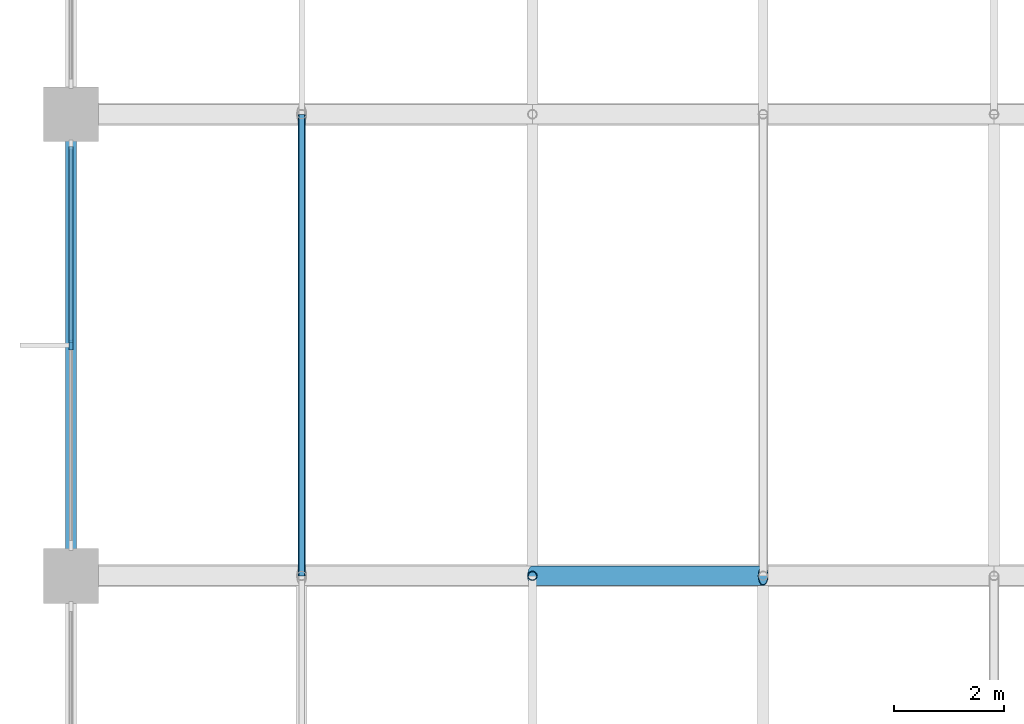
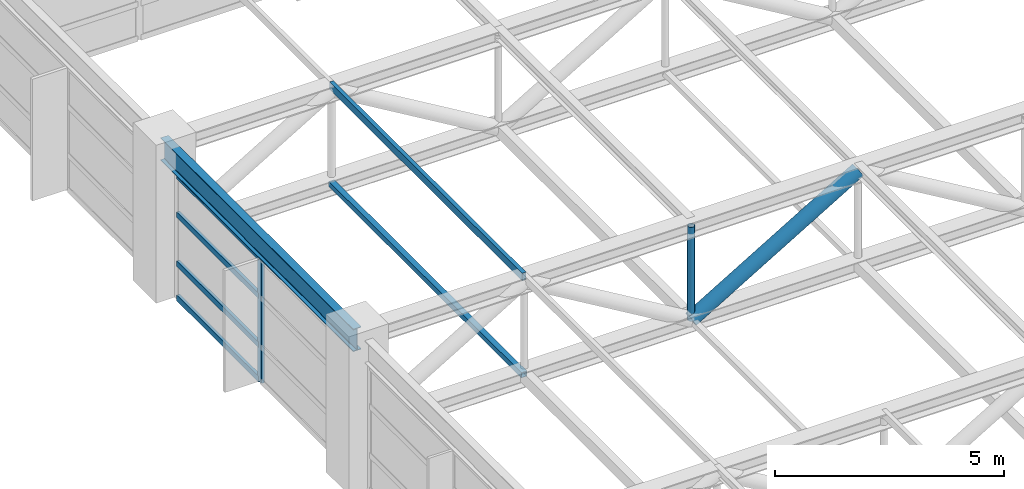
# One storey, part 10 of 32: 9 members, 1 beam, 1 element without a shape of its own.
"""IFC4 building model written with IfcOpenShell, lengths in metres."""

from ifc_helpers import new_model, si_unit, direction, frame, origin, origin_2d, place, context, subcontext, project, spatial, rectangle, hollow_rectangle, hollow_circle, i_section, extrude, material, material_profile, profile_set, type_object, element, aggregate, save


model = new_model("IFC4")

# Units and contexts
model_context = context("Model", 3, precision=1e-05, world=origin(), true_north=direction((0.0, 1.0)))
body_context = subcontext(model_context, "Body", "Model", "MODEL_VIEW")
ifc_project = project(units=[si_unit("LENGTHUNIT", "METRE"), si_unit("AREAUNIT", "SQUARE_METRE"), si_unit("VOLUMEUNIT", "CUBIC_METRE"), si_unit("PLANEANGLEUNIT", "RADIAN"), si_unit("MASSUNIT", "GRAM", prefix="KILO")], contexts=[model_context])

# Site, building, storey
site_placement = place(None, origin())
site = spatial("IfcSite", under=ifc_project, at=site_placement, CompositionType="ELEMENT")
building_placement = place(site_placement, origin())
building = spatial("IfcBuilding", under=site, at=building_placement, Name="Xuanlan Plaza Opera House", CompositionType="ELEMENT")
storey_placement = place(building_placement, frame((0.0, 0.0, 40.5)))
storey = spatial("IfcBuildingStorey", under=building, at=storey_placement, Name="L09", CompositionType="ELEMENT", Elevation=40.5)

# Curtain wall, members
ifc_material_1 = material(Name="Anodised Aluminium 6063-T6 and Low-E Glass", Category="aluminium")
curtain_wall_type = type_object("IfcCurtainWallType", Name="ENV-CW-CW-05", PredefinedType="USERDEFINED", material=ifc_material_1)
curtain_wall_placement = place(storey_placement, origin())
curtain_wall = element("IfcCurtainWall", 1, at=curtain_wall_placement, inside=storey, type_object=curtain_wall_type, Name="Acoustic Glazed Wall FLY-L09-12", ObjectType="ACOUSTIC GLAZED WALL", PredefinedType="USERDEFINED")
ifc_material_2 = material(Name="Anodised Aluminium 6063-T6", Category="aluminium")
ifc_material_profile_1 = material_profile(ifc_material_2, rectangle(XDim=0.070068359375, YDim=0.179931640625, at=origin_2d()), Name="ALU-M 70x180")
ifc_profile_set_1 = profile_set([ifc_material_profile_1], Name="Anodised Aluminium 6063-T6")
member_type_1 = type_object("IfcMemberType", Name="ENV-CWM-02", PredefinedType="MULLION", material=ifc_profile_set_1)
member_1_placement = place(storey_placement, frame((42.0, 63.0, 0.0), z_axis=(0.0, 0.0, 1.0), x_axis=(1.0, 0.0, 0.0)))
member_1 = element("IfcMember", 2, at=member_1_placement, type_object=member_type_1, Name="CW-05 mullion 2", PredefinedType="MULLION", context=body_context, shape_type="SweptSolid", body=[
    extrude(rectangle(XDim=0.070068359375, YDim=0.179931640625, at=origin_2d()), origin(), (0.0, 0.0, 1.0), 3.320068359375),
])
ifc_material_profile_2 = material_profile(ifc_material_2, rectangle(XDim=0.074951171875, YDim=0.14990234375, at=origin_2d()), Name="ALU-T 75x150")
ifc_profile_set_2 = profile_set([ifc_material_profile_2], Name="Anodised Aluminium 6063-T6")
member_type_2 = type_object("IfcMemberType", Name="ENV-CWT-03", PredefinedType="USERDEFINED", material=ifc_profile_set_2)
member_2_placement = place(storey_placement, frame((42.0, 66.610107421875, 0.03759765625), z_axis=(0.0, -1.0, 0.0), x_axis=(1.0, 0.0, 0.0)))
member_2 = element("IfcMember", 3, at=member_2_placement, type_object=member_type_2, Name="CW-05 transom 1.1", ObjectType="TRANSOM", PredefinedType="USERDEFINED", context=body_context, shape_type="SweptSolid", body=[
    extrude(rectangle(XDim=0.074951171875, YDim=0.14990234375, at=origin_2d()), origin(), (0.0, 0.0, 1.0), 3.5751953125),
])
member_3_placement = place(storey_placement, frame((42.0, 66.610107421875, 0.949951171875), z_axis=(0.0, -1.0, 0.0), x_axis=(1.0, 0.0, 0.0)))
member_3 = element("IfcMember", 4, at=member_3_placement, type_object=member_type_2, Name="CW-05 transom 1.2", ObjectType="TRANSOM", PredefinedType="USERDEFINED", context=body_context, shape_type="SweptSolid", body=[
    extrude(rectangle(XDim=0.074951171875, YDim=0.14990234375, at=origin_2d()), origin(), (0.0, 0.0, 1.0), 3.5751953125),
])
member_4_placement = place(storey_placement, frame((42.0, 66.610107421875, 2.25), z_axis=(0.0, -1.0, 0.0), x_axis=(1.0, 0.0, 0.0)))
member_4 = element("IfcMember", 5, at=member_4_placement, type_object=member_type_2, Name="CW-05 transom 1.3", ObjectType="TRANSOM", PredefinedType="USERDEFINED", context=body_context, shape_type="SweptSolid", body=[
    extrude(rectangle(XDim=0.074951171875, YDim=0.14990234375, at=origin_2d()), origin(), (0.0, 0.0, 1.0), 3.5751953125),
])
member_5_placement = place(storey_placement, frame((42.0, 66.610107421875, 3.282470703125), z_axis=(0.0, -1.0, 0.0), x_axis=(1.0, 0.0, 0.0)))
member_5 = element("IfcMember", 6, at=member_5_placement, type_object=member_type_2, Name="CW-05 transom 1.4", ObjectType="TRANSOM", PredefinedType="USERDEFINED", context=body_context, shape_type="SweptSolid", body=[
    extrude(rectangle(XDim=0.074951171875, YDim=0.14990234375, at=origin_2d()), origin(), (0.0, 0.0, 1.0), 3.5751953125),
])
aggregate(curtain_wall, [member_1, member_2, member_3, member_4, member_5])

# Beam
ifc_material_3 = material(Name="Steel Q355B", Category="steel")
ifc_material_profile_3 = material_profile(ifc_material_3, i_section(OverallWidth=0.199951171875, OverallDepth=0.60009765625, WebThickness=0.010986328125, FlangeThickness=0.01708984375, FilletRadius=0.02197265625, at=origin_2d()), Name="HN 600x200x11x17")
ifc_profile_set_3 = profile_set([ifc_material_profile_3], Name="Steel Q355B")
beam_type = type_object("IfcBeamType", Name="STR-BM-SB-04", PredefinedType="BEAM", material=ifc_profile_set_3)
beam_placement = place(storey_placement, frame((42.0, 58.800048828125, 3.659912109375), z_axis=(0.0, 1.0, 0.0), x_axis=(-1.0, 0.0, 0.0)))
element("IfcBeam", 7, at=beam_placement, inside=storey, type_object=beam_type, Name="Fly Tower Ring Beam Y L09 6/H-I", PredefinedType="BEAM", context=body_context, shape_type="SweptSolid", body=[
    extrude(i_section(OverallWidth=0.199951171875, OverallDepth=0.60009765625, WebThickness=0.010986328125, FlangeThickness=0.01708984375, FilletRadius=0.02197265625, at=origin_2d()), origin(), (0.0, 0.0, 1.0), 8.39990234375),
])

# Members
ifc_material_profile_4 = material_profile(ifc_material_3, hollow_circle(Radius=0.177734375, WallThickness=0.01611328125, at=origin_2d()), Name="CHS 355.6x16")
ifc_profile_set_4 = profile_set([ifc_material_profile_4], Name="Steel Q355B")
member_type_3 = type_object("IfcMemberType", Name="STR-MEM-BR-02", PredefinedType="BRACE", material=ifc_profile_set_4)
member_6_placement = place(storey_placement, frame((50.39990234375, 58.800048828125, 1.251953125), z_axis=(0.859303337952, 0.0, 0.511466297409), x_axis=(0.0, 1.0, 0.0)))
element("IfcMember", 8, at=member_6_placement, inside=storey, type_object=member_type_3, Name="Stage Roof Truss STG-02 Web Diagonal 3", PredefinedType="BRACE", context=body_context, shape_type="SweptSolid", body=[
    extrude(hollow_circle(Radius=0.177734375, WallThickness=0.01611328125, at=origin_2d()), origin(), (0.0, 0.0, 1.0), 4.887939453125),
])
ifc_material_profile_5 = material_profile(ifc_material_3, hollow_rectangle(XDim=0.139892578125, YDim=0.139892578125, WallThickness=0.008056640625, at=origin_2d()), Name="SHS 140x140x8")
ifc_profile_set_5 = profile_set([ifc_material_profile_5], Name="Steel Q355B")
member_type_4 = type_object("IfcMemberType", Name="STR-MEM-CL-M3", PredefinedType="COLLAR", material=ifc_profile_set_5)
member_7_placement = place(storey_placement, frame((46.199951171875, 58.800048828125, 1.251953125), z_axis=(0.0, 1.0, 0.0), x_axis=(-1.0, 0.0, 0.0)))
element("IfcMember", 9, at=member_7_placement, inside=storey, type_object=member_type_4, Name="Stage Truss Collar Tie 2-2", PredefinedType="COLLAR", context=body_context, shape_type="SweptSolid", body=[
    extrude(hollow_rectangle(XDim=0.139892578125, YDim=0.139892578125, WallThickness=0.008056640625, at=origin_2d()), origin(), (0.0, 0.0, 1.0), 8.39990234375),
])
ifc_material_profile_6 = material_profile(ifc_material_3, hollow_rectangle(XDim=0.10009765625, YDim=0.199951171875, WallThickness=0.008056640625, at=origin_2d()), Name="RHS 200x100x8")
ifc_profile_set_6 = profile_set([ifc_material_profile_6], Name="Steel Q355B")
member_type_5 = type_object("IfcMemberType", Name="STR-MEM-PR-02", PredefinedType="PURLIN", material=ifc_profile_set_6)
member_8_placement = place(storey_placement, frame((46.199951171875, 58.800048828125, 3.85888671875), z_axis=(0.0, 1.0, 0.0), x_axis=(-1.0, 0.0, 0.0)))
element("IfcMember", 10, at=member_8_placement, inside=storey, type_object=member_type_5, Name="Stage Gridiron Roof Purlin 3-2", PredefinedType="PURLIN", context=body_context, shape_type="SweptSolid", body=[
    extrude(hollow_rectangle(XDim=0.10009765625, YDim=0.199951171875, WallThickness=0.008056640625, at=origin_2d()), origin(), (0.0, 0.0, 1.0), 8.39990234375),
])
ifc_material_profile_7 = material_profile(ifc_material_3, hollow_circle(Radius=0.084228515625, WallThickness=0.008056640625, at=origin_2d()), Name="CHS 168.3x8")
ifc_profile_set_7 = profile_set([ifc_material_profile_7], Name="Steel Q355B")
member_type_6 = type_object("IfcMemberType", Name="STR-MEM-ST-M1", PredefinedType="STRUT", material=ifc_profile_set_7)
member_9_placement = place(storey_placement, frame((50.39990234375, 58.800048828125, 1.251953125), z_axis=(0.0, 0.0, 1.0), x_axis=(1.0, 0.0, 0.0)))
element("IfcMember", 11, at=member_9_placement, inside=storey, type_object=member_type_6, Name="Stage Roof Truss STG-02 Vertical Strut 2", PredefinedType="STRUT", context=body_context, shape_type="SweptSolid", body=[
    extrude(hollow_circle(Radius=0.084228515625, WallThickness=0.008056640625, at=origin_2d()), origin(), (0.0, 0.0, 1.0), 2.5),
])

save(model, "model.ifc")
